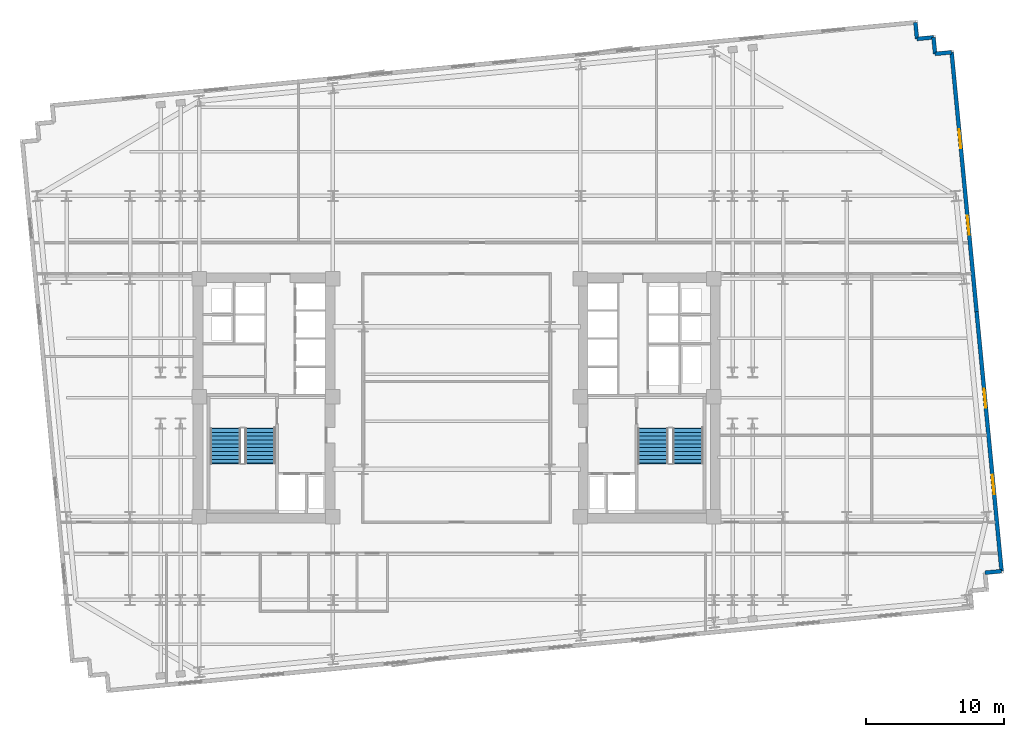
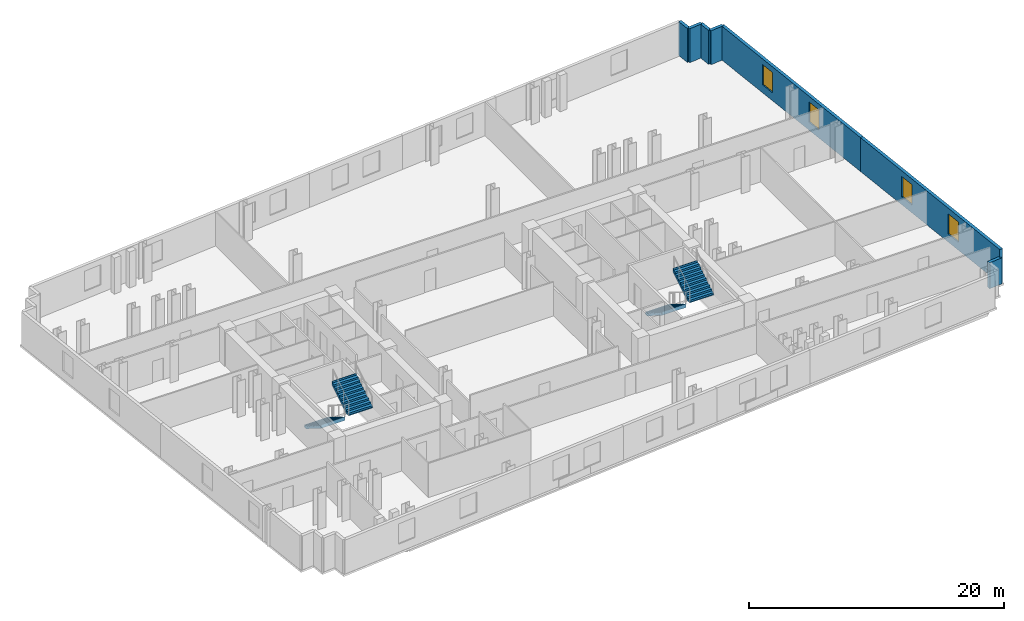
# One storey, part 8 of 10: 7 walls, 4 stair flights, 4 windows, 4 openings, 2 elements without a shape of their own.
"""IFC4 building model written with IfcOpenShell, lengths in metres."""

from ifc_helpers import new_model, si_unit, direction, frame, frame_2d, origin, place, context, subcontext, project, spatial, polyline, rectangle, outline, extrude, material, layer, layer_set, type_object, element, fill, aggregate, save


model = new_model("IFC4")

# Units and contexts
model_context = context("Model", 3, precision=1e-05, world=origin(), true_north=direction((0.0, 1.0)))
body_context = subcontext(model_context, "Body", "Model", "MODEL_VIEW")
ifc_project = project(units=[si_unit("LENGTHUNIT", "METRE"), si_unit("AREAUNIT", "SQUARE_METRE"), si_unit("VOLUMEUNIT", "CUBIC_METRE"), si_unit("PLANEANGLEUNIT", "RADIAN"), si_unit("MASSUNIT", "GRAM", prefix="KILO")], contexts=[model_context])

# Site, building, storey
site_placement = place(None, origin())
site = spatial("IfcSite", under=ifc_project, at=site_placement, CompositionType="ELEMENT")
building_placement = place(site_placement, origin())
building = spatial("IfcBuilding", under=site, at=building_placement, Name="Velakula Bourse", CompositionType="ELEMENT")
storey_placement = place(building_placement, frame((0.0, 0.0, 81.10009765625)))
storey = spatial("IfcBuildingStorey", under=building, at=storey_placement, Name="L21", CompositionType="ELEMENT", Elevation=81.10009765625)

# Wall, openings, windows
ifc_material_1 = material(Name="Red kilned clay facing brick masonry", Category="masonry")
ifc_layer_1 = layer(ifc_material_1, 0.280029296875, Name="Red kilned clay facing brick masonry", Category="masonry")
ifc_layer_set_1 = layer_set([ifc_layer_1], Name="Red kilned clay facing brick masonry")
wall_type = type_object("IfcWallType", Name="WL-EXT-BRK-280", PredefinedType="STANDARD", material=ifc_layer_set_1)
wall_1_placement = place(storey_placement, frame((37.584716796875, 6.23388671875, 0.0), z_axis=(0.0, 0.0, 1.0), x_axis=(0.095841297881, -0.99539662729, 0.0)))
wall_1 = element("IfcWall", 1, at=wall_1_placement, inside=storey, type_object=wall_type, Name="L21 E Brick End Wall W1", PredefinedType="STANDARD", context=body_context, shape_type="SweptSolid", body=[
    extrude(rectangle(XDim=18.840087890625, YDim=0.280029296875, at=frame_2d((9.419921875, 0.0))), origin(), (0.0, 0.0, 1.0), 3.25),
])
opening_1_placement = place(wall_1_placement, frame((5.580078125, 0.0, 0.760009765625)))
opening_1 = element("IfcOpeningElement", 2, at=opening_1_placement, cuts=wall_1, Name="Opening W-03", PredefinedType="OPENING", context=body_context, shape_type="SweptSolid", body=[
    extrude(rectangle(XDim=1.39990234375, YDim=1.949951171875, at=frame_2d((0.699951171875, 0.97509765625))), frame((0.0, 0.14990234375, 0.0), z_axis=(0.0, -1.0, 0.0), x_axis=(1.0, 0.0, 0.0)), (0.0, 0.0, 1.0), 0.300048828125),
])
opening_2_placement = place(wall_1_placement, frame((11.860107421875, 0.0, 0.760009765625)))
opening_2 = element("IfcOpeningElement", 3, at=opening_2_placement, cuts=wall_1, Name="Opening W-03", PredefinedType="OPENING", context=body_context, shape_type="SweptSolid", body=[
    extrude(rectangle(XDim=1.39990234375, YDim=1.949951171875, at=frame_2d((0.699951171875, 0.97509765625))), frame((0.0, 0.14990234375, 0.0), z_axis=(0.0, -1.0, 0.0), x_axis=(1.0, 0.0, 0.0)), (0.0, 0.0, 1.0), 0.300048828125),
])
ifc_material_2 = material(Name="Double-glazed solar-control Low-E glass", Category="glass")
window_type = type_object("IfcWindowType", Name="WIN-TWR-1400x2100", PartitioningType="SINGLE_PANEL", PredefinedType="WINDOW", material=ifc_material_2)
window_1_placement = place(opening_1_placement, origin())
window_1 = element("IfcWindow", 4, at=window_1_placement, inside=storey, type_object=window_type, Name="L21 Deep-Set Recessed Window 1", OverallHeight=1.949951171875, OverallWidth=1.39990234375, PartitioningType="SINGLE_PANEL", PredefinedType="WINDOW", context=body_context, shape_type="SweptSolid", body=[
    extrude(rectangle(XDim=1.39990234375, YDim=1.949951171875, at=frame_2d((0.699951171875, 0.97509765625))), frame((0.0, 0.030029296875, 0.0), z_axis=(0.0, -1.0, 0.0), x_axis=(1.0, 0.0, 0.0)), (0.0, 0.0, 1.0), 0.06005859375),
])
fill(opening_1, window_1)
window_2_placement = place(opening_2_placement, origin())
window_2 = element("IfcWindow", 5, at=window_2_placement, inside=storey, type_object=window_type, Name="L21 Deep-Set Recessed Window 2", OverallHeight=1.949951171875, OverallWidth=1.39990234375, PartitioningType="SINGLE_PANEL", PredefinedType="WINDOW", context=body_context, shape_type="SweptSolid", body=[
    extrude(rectangle(XDim=1.39990234375, YDim=1.949951171875, at=frame_2d((0.699951171875, 0.97509765625))), frame((0.0, 0.030029296875, 0.0), z_axis=(0.0, -1.0, 0.0), x_axis=(1.0, 0.0, 0.0)), (0.0, 0.0, 1.0), 0.06005859375),
])
fill(opening_2, window_2)

wall_2_placement = place(storey_placement, frame((35.779052734375, 24.987060546875, 0.0), z_axis=(0.0, 0.0, 1.0), x_axis=(0.095842534142, -0.995396508256, 0.0)))
wall_2 = element("IfcWall", 6, at=wall_2_placement, inside=storey, type_object=wall_type, Name="L21 E Brick End Wall W2", PredefinedType="STANDARD", context=body_context, shape_type="SweptSolid", body=[
    extrude(rectangle(XDim=18.83984375, YDim=0.280029296875, at=frame_2d((9.419921875, 0.0))), origin(), (0.0, 0.0, 1.0), 3.25),
])
opening_3_placement = place(wall_2_placement, frame((5.580078125, 0.0, 0.760009765625)))
opening_3 = element("IfcOpeningElement", 7, at=opening_3_placement, cuts=wall_2, Name="Opening W-03", PredefinedType="OPENING", context=body_context, shape_type="SweptSolid", body=[
    extrude(rectangle(XDim=1.39990234375, YDim=1.949951171875, at=frame_2d((0.699951171875, 0.97509765625))), frame((0.0, 0.14990234375, 0.0), z_axis=(0.0, -1.0, 0.0), x_axis=(1.0, 0.0, 0.0)), (0.0, 0.0, 1.0), 0.300048828125),
])
opening_4_placement = place(wall_2_placement, frame((11.860107421875, 0.0, 0.760009765625)))
opening_4 = element("IfcOpeningElement", 8, at=opening_4_placement, cuts=wall_2, Name="Opening W-03", PredefinedType="OPENING", context=body_context, shape_type="SweptSolid", body=[
    extrude(rectangle(XDim=1.39990234375, YDim=1.949951171875, at=frame_2d((0.699951171875, 0.97509765625))), frame((0.0, 0.14990234375, 0.0), z_axis=(0.0, -1.0, 0.0), x_axis=(1.0, 0.0, 0.0)), (0.0, 0.0, 1.0), 0.300048828125),
])
window_3_placement = place(opening_3_placement, origin())
window_3 = element("IfcWindow", 9, at=window_3_placement, inside=storey, type_object=window_type, Name="L21 Deep-Set Recessed Window 1", OverallHeight=1.949951171875, OverallWidth=1.39990234375, PartitioningType="SINGLE_PANEL", PredefinedType="WINDOW", context=body_context, shape_type="SweptSolid", body=[
    extrude(rectangle(XDim=1.39990234375, YDim=1.949951171875, at=frame_2d((0.699951171875, 0.97509765625))), frame((0.0, 0.030029296875, 0.0), z_axis=(0.0, -1.0, 0.0), x_axis=(1.0, 0.0, 0.0)), (0.0, 0.0, 1.0), 0.06005859375),
])
fill(opening_3, window_3)
window_4_placement = place(opening_4_placement, origin())
window_4 = element("IfcWindow", 10, at=window_4_placement, inside=storey, type_object=window_type, Name="L21 Deep-Set Recessed Window 2", OverallHeight=1.949951171875, OverallWidth=1.39990234375, PartitioningType="SINGLE_PANEL", PredefinedType="WINDOW", context=body_context, shape_type="SweptSolid", body=[
    extrude(rectangle(XDim=1.39990234375, YDim=1.949951171875, at=frame_2d((0.699951171875, 0.97509765625))), frame((0.0, 0.030029296875, 0.0), z_axis=(0.0, -1.0, 0.0), x_axis=(1.0, 0.0, 0.0)), (0.0, 0.0, 1.0), 0.06005859375),
])
fill(opening_4, window_4)

# Walls
wall_3_placement = place(storey_placement, frame((38.196044921875, -12.634521484375, 0.0), z_axis=(0.0, 0.0, 1.0), x_axis=(0.995397091755, 0.095836473879, 0.0)))
element("IfcWall", 11, at=wall_3_placement, inside=storey, type_object=wall_type, Name="L21 Serrated Corner Brick Wall SE-4", PredefinedType="STANDARD", context=body_context, shape_type="SweptSolid", body=[
    extrude(rectangle(XDim=1.199951171875, YDim=0.280029296875, at=frame_2d((0.60009765625, 0.0))), origin(), (0.0, 0.0, 1.0), 2.494873046875),
])
for number, where, z_axis, x_axis, name in (
    (12, (35.779052734375, 24.987060546875, 0.0), (0.0, 0.0, 1.0), (-0.995398960025, -0.095817067274, 0.0), "L21 Serrated Corner Brick Wall NE-1"),
    (13, (34.58447265625, 24.8720703125, 0.0), (0.0, 0.0, 1.0), (-0.095817067274, 0.995398960025, 0.0), "L21 Serrated Corner Brick Wall NE-2"),
    (14, (34.469482421875, 26.066650390625, 0.0), (0.0, 0.0, 1.0), (-0.995398960025, -0.095817067274, 0.0), "L21 Serrated Corner Brick Wall NE-3"),
):
    element("IfcWall", number, at=place(storey_placement, frame(where, z_axis=z_axis, x_axis=x_axis)), inside=storey, type_object=wall_type, Name=name, PredefinedType="STANDARD", context=body_context, shape_type="SweptSolid", body=[
        extrude(rectangle(XDim=1.2001953125, YDim=0.280029296875, at=frame_2d((0.60009765625, 0.0))), origin(), (0.0, 0.0, 1.0), 3.25),
    ])
wall_4_placement = place(storey_placement, frame((33.27490234375, 25.95166015625, 0.0), z_axis=(0.0, 0.0, 1.0), x_axis=(-0.095836473879, 0.995397091755, 0.0)))
element("IfcWall", 15, at=wall_4_placement, inside=storey, type_object=wall_type, Name="L21 Serrated Corner Brick Wall NE-4", PredefinedType="STANDARD", context=body_context, shape_type="SweptSolid", body=[
    extrude(rectangle(XDim=1.199951171875, YDim=0.280029296875, at=frame_2d((0.60009765625, 0.0))), origin(), (0.0, 0.0, 1.0), 3.25),
])

# Stair, stair flights
ifc_material_3 = material(Name="Concrete M45 (fck 45 MPa)", Category="concrete")
stair_type = type_object("IfcStairType", Name="STR-DOG-390", PredefinedType="HALF_TURN_STAIR", material=ifc_material_3)
stair_1_placement = place(storey_placement, origin())
stair_1 = element("IfcStair", 16, at=stair_1_placement, inside=storey, type_object=stair_type, Name="L21 West Core Exit Stair ST-W1", PredefinedType="HALF_TURN_STAIR")
ifc_layer_2 = layer(ifc_material_3, 0.195068359375, Name="Concrete M45 (fck 45 MPa)", Category="concrete")
ifc_layer_set_2 = layer_set([ifc_layer_2], Name="Concrete M45 (fck 45 MPa)")
stair_flight_type = type_object("IfcStairFlightType", Name="FLT-DOG-390", PredefinedType="STRAIGHT", material=ifc_layer_set_2)
stair_flight_1_placement = place(storey_placement, frame((-16.720947265625, -2.199951171875, 0.0), z_axis=(0.0, 0.0, 1.0), x_axis=(0.0, -1.0, 0.0)))
stair_flight_1 = element("IfcStairFlight", 17, at=stair_flight_1_placement, type_object=stair_flight_type, Name="ST-W1 flight 1", NumberOfRisers=10, NumberOfTreads=9, PredefinedType="STRAIGHT", RiserHeight=0.1725, TreadLength=0.28, context=body_context, shape_type="SweptSolid", body=[
    extrude(outline(polyline([(-0.044921875, -0.0400390625), (-0.044921875, -0.036865234375), (-0.044921875, -0.033935546875), (-0.044921875, -0.03076171875), (-0.044921875, -0.027587890625), (-0.044921875, -0.024658203125), (-0.044921875, -0.021484375), (-0.044921875, -0.0185546875), (-0.044921875, -0.015380859375), (-0.044921875, -0.01220703125), (-0.044921875, -0.00927734375), (-0.044921875, -0.006103515625), (-0.044921875, -0.003173828125), (-0.044921875, 0.0), (0.0, 0.0), (0.0, 0.172607421875), (0.280029296875, 0.172607421875), (0.280029296875, 0.344970703125), (0.56005859375, 0.344970703125), (0.56005859375, 0.517578125), (0.840087890625, 0.517578125), (0.840087890625, 0.68994140625), (1.1201171875, 0.68994140625), (1.1201171875, 0.862548828125), (1.39990234375, 0.862548828125), (1.39990234375, 1.034912109375), (1.679931640625, 1.034912109375), (1.679931640625, 1.20751953125), (1.9599609375, 1.20751953125), (1.9599609375, 1.3798828125), (2.239990234375, 1.3798828125), (2.239990234375, 1.552490234375), (2.52001953125, 1.552490234375), (2.52001953125, 1.72509765625), (2.56494140625, 1.72509765625), (2.56494140625, 1.7001953125), (2.56494140625, 1.67529296875), (2.56494140625, 1.650390625), (2.56494140625, 1.62548828125), (2.56494140625, 1.6005859375), (2.56494140625, 1.57568359375), (2.56494140625, 1.55078125), (2.56494140625, 1.52587890625), (2.56494140625, 1.5009765625), (2.56494140625, 1.47607421875), (2.56494140625, 1.451171875), (2.56494140625, 1.42626953125), (2.56494140625, 1.4013671875), (2.56494140625, 1.37646484375), (0.285888671875, -0.0400390625), (-0.044921875, -0.0400390625)])), frame((0.0, 1.09912109375, 0.0), z_axis=(0.0, -1.0, 0.0), x_axis=(1.0, 0.0, 0.0)), (0.0, 0.0, 1.0), 2.197998046875),
])
stair_flight_2_placement = place(storey_placement, frame((-14.198974609375, -4.719970703125, 1.724853515625), z_axis=(0.0, 0.0, 1.0), x_axis=(0.0, 1.0, 0.0)))
stair_flight_2 = element("IfcStairFlight", 18, at=stair_flight_2_placement, type_object=stair_flight_type, Name="ST-W1 flight 2", NumberOfRisers=10, NumberOfTreads=9, PredefinedType="STRAIGHT", RiserHeight=0.1725, TreadLength=0.28, context=body_context, shape_type="SweptSolid", body=[
    extrude(outline(polyline([(-0.044921875, -0.0400390625), (-0.044921875, -0.036865234375), (-0.044921875, -0.033935546875), (-0.044921875, -0.03076171875), (-0.044921875, -0.027587890625), (-0.044921875, -0.024658203125), (-0.044921875, -0.021484375), (-0.044921875, -0.0185546875), (-0.044921875, -0.015380859375), (-0.044921875, -0.01220703125), (-0.044921875, -0.00927734375), (-0.044921875, -0.006103515625), (-0.044921875, -0.003173828125), (-0.044921875, 0.0), (0.0, 0.0), (0.0, 0.172607421875), (0.280029296875, 0.172607421875), (0.280029296875, 0.344970703125), (0.56005859375, 0.344970703125), (0.56005859375, 0.517578125), (0.840087890625, 0.517578125), (0.840087890625, 0.68994140625), (1.1201171875, 0.68994140625), (1.1201171875, 0.862548828125), (1.39990234375, 0.862548828125), (1.39990234375, 1.034912109375), (1.679931640625, 1.034912109375), (1.679931640625, 1.20751953125), (1.9599609375, 1.20751953125), (1.9599609375, 1.3798828125), (2.239990234375, 1.3798828125), (2.239990234375, 1.552490234375), (2.52001953125, 1.552490234375), (2.52001953125, 1.72509765625), (2.56494140625, 1.72509765625), (2.56494140625, 1.7001953125), (2.56494140625, 1.67529296875), (2.56494140625, 1.650390625), (2.56494140625, 1.62548828125), (2.56494140625, 1.6005859375), (2.56494140625, 1.57568359375), (2.56494140625, 1.55078125), (2.56494140625, 1.52587890625), (2.56494140625, 1.5009765625), (2.56494140625, 1.47607421875), (2.56494140625, 1.451171875), (2.56494140625, 1.42626953125), (2.56494140625, 1.4013671875), (2.56494140625, 1.37646484375), (0.285888671875, -0.0400390625), (-0.044921875, -0.0400390625)])), frame((0.0, 1.09912109375, 0.0), z_axis=(0.0, -1.0, 0.0), x_axis=(1.0, 0.0, 0.0)), (0.0, 0.0, 1.0), 2.197998046875),
])
aggregate(stair_1, [stair_flight_1, stair_flight_2])

stair_2_placement = place(storey_placement, origin())
stair_2 = element("IfcStair", 19, at=stair_2_placement, inside=storey, type_object=stair_type, Name="L21 East Core Exit Stair ST-E1", PredefinedType="HALF_TURN_STAIR")
stair_flight_3_placement = place(storey_placement, frame((14.198974609375, -2.199951171875, 0.0), z_axis=(0.0, 0.0, 1.0), x_axis=(0.0, -1.0, 0.0)))
stair_flight_3 = element("IfcStairFlight", 20, at=stair_flight_3_placement, type_object=stair_flight_type, Name="ST-E1 flight 1", NumberOfRisers=10, NumberOfTreads=9, PredefinedType="STRAIGHT", RiserHeight=0.1725, TreadLength=0.28, context=body_context, shape_type="SweptSolid", body=[
    extrude(outline(polyline([(-0.044921875, -0.0400390625), (-0.044921875, -0.036865234375), (-0.044921875, -0.033935546875), (-0.044921875, -0.03076171875), (-0.044921875, -0.027587890625), (-0.044921875, -0.024658203125), (-0.044921875, -0.021484375), (-0.044921875, -0.0185546875), (-0.044921875, -0.015380859375), (-0.044921875, -0.01220703125), (-0.044921875, -0.00927734375), (-0.044921875, -0.006103515625), (-0.044921875, -0.003173828125), (-0.044921875, 0.0), (0.0, 0.0), (0.0, 0.172607421875), (0.280029296875, 0.172607421875), (0.280029296875, 0.344970703125), (0.56005859375, 0.344970703125), (0.56005859375, 0.517578125), (0.840087890625, 0.517578125), (0.840087890625, 0.68994140625), (1.1201171875, 0.68994140625), (1.1201171875, 0.862548828125), (1.39990234375, 0.862548828125), (1.39990234375, 1.034912109375), (1.679931640625, 1.034912109375), (1.679931640625, 1.20751953125), (1.9599609375, 1.20751953125), (1.9599609375, 1.3798828125), (2.239990234375, 1.3798828125), (2.239990234375, 1.552490234375), (2.52001953125, 1.552490234375), (2.52001953125, 1.72509765625), (2.56494140625, 1.72509765625), (2.56494140625, 1.7001953125), (2.56494140625, 1.67529296875), (2.56494140625, 1.650390625), (2.56494140625, 1.62548828125), (2.56494140625, 1.6005859375), (2.56494140625, 1.57568359375), (2.56494140625, 1.55078125), (2.56494140625, 1.52587890625), (2.56494140625, 1.5009765625), (2.56494140625, 1.47607421875), (2.56494140625, 1.451171875), (2.56494140625, 1.42626953125), (2.56494140625, 1.4013671875), (2.56494140625, 1.37646484375), (0.285888671875, -0.0400390625), (-0.044921875, -0.0400390625)])), frame((0.0, 1.09912109375, 0.0), z_axis=(0.0, -1.0, 0.0), x_axis=(1.0, 0.0, 0.0)), (0.0, 0.0, 1.0), 2.197998046875),
])
stair_flight_4_placement = place(storey_placement, frame((16.720947265625, -4.719970703125, 1.724853515625), z_axis=(0.0, 0.0, 1.0), x_axis=(0.0, 1.0, 0.0)))
stair_flight_4 = element("IfcStairFlight", 21, at=stair_flight_4_placement, type_object=stair_flight_type, Name="ST-E1 flight 2", NumberOfRisers=10, NumberOfTreads=9, PredefinedType="STRAIGHT", RiserHeight=0.1725, TreadLength=0.28, context=body_context, shape_type="SweptSolid", body=[
    extrude(outline(polyline([(-0.044921875, -0.0400390625), (-0.044921875, -0.036865234375), (-0.044921875, -0.033935546875), (-0.044921875, -0.03076171875), (-0.044921875, -0.027587890625), (-0.044921875, -0.024658203125), (-0.044921875, -0.021484375), (-0.044921875, -0.0185546875), (-0.044921875, -0.015380859375), (-0.044921875, -0.01220703125), (-0.044921875, -0.00927734375), (-0.044921875, -0.006103515625), (-0.044921875, -0.003173828125), (-0.044921875, 0.0), (0.0, 0.0), (0.0, 0.172607421875), (0.280029296875, 0.172607421875), (0.280029296875, 0.344970703125), (0.56005859375, 0.344970703125), (0.56005859375, 0.517578125), (0.840087890625, 0.517578125), (0.840087890625, 0.68994140625), (1.1201171875, 0.68994140625), (1.1201171875, 0.862548828125), (1.39990234375, 0.862548828125), (1.39990234375, 1.034912109375), (1.679931640625, 1.034912109375), (1.679931640625, 1.20751953125), (1.9599609375, 1.20751953125), (1.9599609375, 1.3798828125), (2.239990234375, 1.3798828125), (2.239990234375, 1.552490234375), (2.52001953125, 1.552490234375), (2.52001953125, 1.72509765625), (2.56494140625, 1.72509765625), (2.56494140625, 1.7001953125), (2.56494140625, 1.67529296875), (2.56494140625, 1.650390625), (2.56494140625, 1.62548828125), (2.56494140625, 1.6005859375), (2.56494140625, 1.57568359375), (2.56494140625, 1.55078125), (2.56494140625, 1.52587890625), (2.56494140625, 1.5009765625), (2.56494140625, 1.47607421875), (2.56494140625, 1.451171875), (2.56494140625, 1.42626953125), (2.56494140625, 1.4013671875), (2.56494140625, 1.37646484375), (0.285888671875, -0.0400390625), (-0.044921875, -0.0400390625)])), frame((0.0, 1.09912109375, 0.0), z_axis=(0.0, -1.0, 0.0), x_axis=(1.0, 0.0, 0.0)), (0.0, 0.0, 1.0), 2.197998046875),
])
aggregate(stair_2, [stair_flight_3, stair_flight_4])

save(model, "model.ifc")
